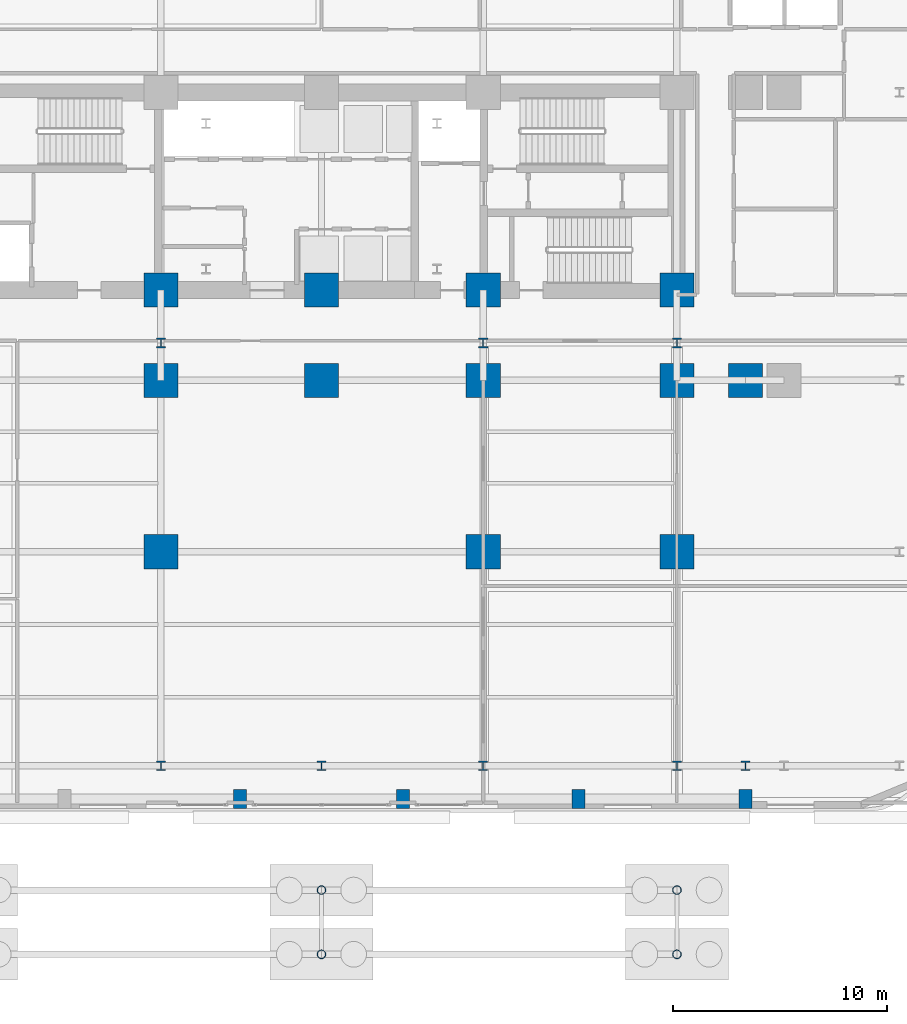
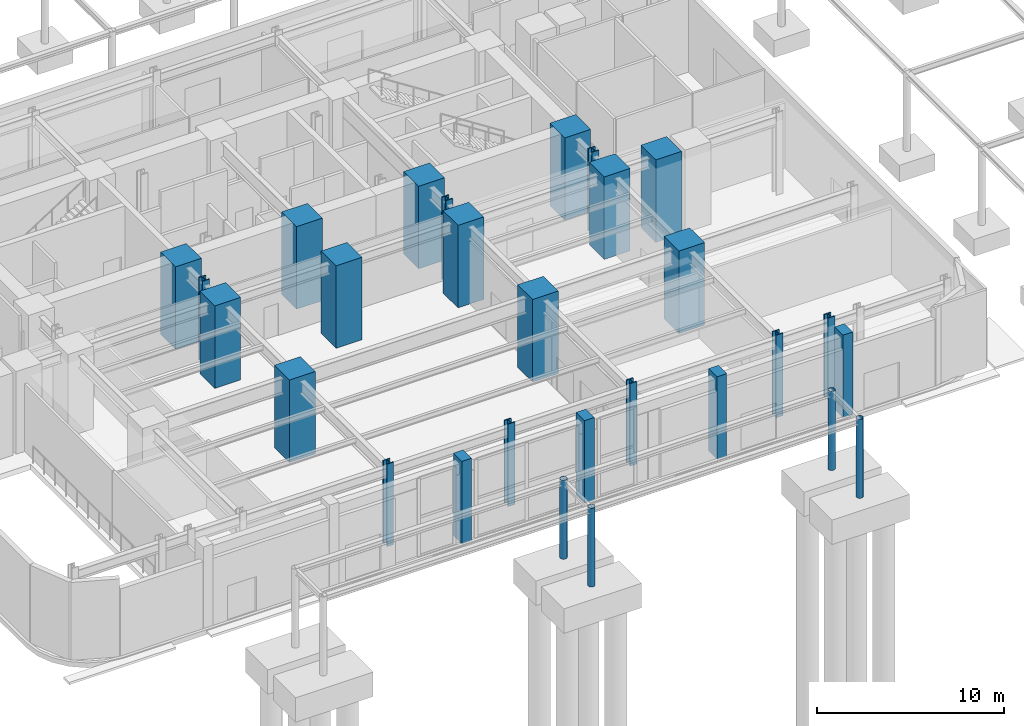
# One storey, part 3 of 21: 28 columns.
"""IFC4 building model written with IfcOpenShell, lengths in metres."""

from ifc_helpers import new_model, si_unit, direction, frame, origin, origin_2d, place, context, subcontext, project, spatial, rectangle, hollow_circle, i_section, extrude, material, material_profile, profile_set, type_object, element, save


model = new_model("IFC4")

# Units and contexts
model_context = context("Model", 3, precision=1e-05, world=origin(), true_north=direction((0.0, 1.0)))
body_context = subcontext(model_context, "Body", "Model", "MODEL_VIEW")
ifc_project = project(units=[si_unit("LENGTHUNIT", "METRE"), si_unit("AREAUNIT", "SQUARE_METRE"), si_unit("VOLUMEUNIT", "CUBIC_METRE"), si_unit("PLANEANGLEUNIT", "RADIAN"), si_unit("MASSUNIT", "GRAM", prefix="KILO")], contexts=[model_context])

# Site, building, storey
site_placement = place(None, origin())
site = spatial("IfcSite", under=ifc_project, at=site_placement, CompositionType="ELEMENT")
building_placement = place(site_placement, origin())
building = spatial("IfcBuilding", under=site, at=building_placement, Name="Zarnavel Station Tower", CompositionType="ELEMENT")
storey_placement = place(building_placement, origin())
storey = spatial("IfcBuildingStorey", under=building, at=storey_placement, Name="L01", CompositionType="ELEMENT", Elevation=0.0)

# Columns
ifc_material_1 = material(Name="Steel S355J2", Category="steel")
ifc_material_profile_1 = material_profile(ifc_material_1, hollow_circle(Radius=0.203125, WallThickness=0.01611328125, at=origin_2d()), Name="CHS406.4x16")
ifc_profile_set_1 = profile_set([ifc_material_profile_1], Name="Steel S355J2")
column_type_1 = type_object("IfcColumnType", Name="EC_CANOPY", PredefinedType="COLUMN", material=ifc_profile_set_1)
for number, where, z_axis, x_axis, name in (
    (1, (28.800048828125, -3.199951171875, 0.0), (0.0, 0.0, 1.0), (1.0, 0.0, 0.0), "L01 Station Portal Column 02"),
    (2, (45.39990234375, -3.199951171875, 0.0), (0.0, 0.0, 1.0), (1.0, 0.0, 0.0), "L01 Station Portal Column 03"),
    (3, (28.800048828125, -0.199951171875, 0.0), (0.0, 0.0, 1.0), (1.0, 0.0, 0.0), "L01 Station Portal Column 05"),
    (4, (45.39990234375, -0.199951171875, 0.0), (0.0, 0.0, 1.0), (1.0, 0.0, 0.0), "L01 Station Portal Column 06"),
):
    element("IfcColumn", number, at=place(storey_placement, frame(where, z_axis=z_axis, x_axis=x_axis)), inside=storey, type_object=column_type_1, Name=name, PredefinedType="COLUMN", context=body_context, shape_type="SweptSolid", body=[
        extrude(hollow_circle(Radius=0.203125, WallThickness=0.01611328125, at=origin_2d()), origin(), (0.0, 0.0, 1.0), 5.159912109375),
    ])
ifc_material_2 = material(Name="Steel S460M", Category="steel")
ifc_material_profile_2 = material_profile(ifc_material_2, i_section(OverallWidth=0.424072265625, OverallDepth=0.449951171875, WebThickness=0.041015625, FlangeThickness=0.06494140625, FilletRadius=0.014892578125, at=origin_2d()), Name="HD400x509")
ifc_profile_set_2 = profile_set([ifc_material_profile_2], Name="Steel S460M")
column_type_2 = type_object("IfcColumnType", Name="EC_HD509", PredefinedType="COLUMN", material=ifc_profile_set_2)
for number, where, z_axis, x_axis, name in (
    (5, (21.300048828125, 5.60009765625, 0.0), (0.0, 0.0, 1.0), (1.0, 0.0, 0.0), "L01 Perimeter Column 5-1"),
    (6, (28.800048828125, 5.60009765625, 0.0), (0.0, 0.0, 1.0), (1.0, 0.0, 0.0), "L01 Perimeter Column 6-1"),
    (7, (36.35009765625, 5.60009765625, 0.0), (0.0, 0.0, 1.0), (1.0, 0.0, 0.0), "L01 Perimeter Column 7-1"),
    (8, (45.39990234375, 5.60009765625, 0.0), (0.0, 0.0, 1.0), (1.0, 0.0, 0.0), "L01 Perimeter Column 8-1"),
    (9, (48.60009765625, 5.60009765625, 0.0), (0.0, 0.0, 1.0), (1.0, 0.0, 0.0), "L01 Perimeter Column 9-1"),
):
    element("IfcColumn", number, at=place(storey_placement, frame(where, z_axis=z_axis, x_axis=x_axis)), inside=storey, type_object=column_type_2, Name=name, PredefinedType="COLUMN", context=body_context, shape_type="SweptSolid", body=[
        extrude(i_section(OverallWidth=0.424072265625, OverallDepth=0.449951171875, WebThickness=0.041015625, FlangeThickness=0.06494140625, FilletRadius=0.014892578125, at=origin_2d()), origin(), (0.0, 0.0, 1.0), 5.39990234375),
    ])
ifc_material_3 = material(Name="Steel S460M", Category="steel")
ifc_material_profile_3 = material_profile(ifc_material_3, i_section(OverallWidth=0.427978515625, OverallDepth=0.465087890625, WebThickness=0.044921875, FlangeThickness=0.072998046875, FilletRadius=0.014892578125, at=origin_2d()), Name="HD400x592")
ifc_profile_set_3 = profile_set([ifc_material_profile_3], Name="Steel S460M")
column_type_3 = type_object("IfcColumnType", Name="IC_HD592", PredefinedType="COLUMN", material=ifc_profile_set_3)
for number, where, z_axis, x_axis, name in (
    (10, (21.300048828125, 25.35009765625, 0.0), (0.0, 0.0, 1.0), (1.0, 0.0, 0.0), "L01 Inner Spine Column 2"),
    (11, (36.35009765625, 25.35009765625, 0.0), (0.0, 0.0, 1.0), (1.0, 0.0, 0.0), "L01 Inner Spine Column 4"),
    (12, (45.39990234375, 25.35009765625, 0.0), (0.0, 0.0, 1.0), (1.0, 0.0, 0.0), "L01 Inner Spine Column 5"),
):
    element("IfcColumn", number, at=place(storey_placement, frame(where, z_axis=z_axis, x_axis=x_axis)), inside=storey, type_object=column_type_3, Name=name, PredefinedType="COLUMN", context=body_context, shape_type="SweptSolid", body=[
        extrude(i_section(OverallWidth=0.427978515625, OverallDepth=0.465087890625, WebThickness=0.044921875, FlangeThickness=0.072998046875, FilletRadius=0.014892578125, at=origin_2d()), origin(), (0.0, 0.0, 1.0), 5.39990234375),
    ])
ifc_material_4 = material(Name="Concrete C60/75", Category="concrete")
ifc_material_profile_4 = material_profile(ifc_material_4, rectangle(XDim=1.60009765625, YDim=1.60009765625, at=origin_2d()), Name="RC1600x1600")
ifc_profile_set_4 = profile_set([ifc_material_profile_4], Name="Concrete C60/75")
column_type_4 = type_object("IfcColumnType", Name="IC_RC1600", PredefinedType="COLUMN", material=ifc_profile_set_4)
for number, where, z_axis, x_axis, name in (
    (13, (21.300048828125, 27.820068359375, 0.0), (0.0, 0.0, 1.0), (1.0, 0.0, 0.0), "L01 Core Spine Column 2-1"),
    (14, (28.800048828125, 27.820068359375, 0.0), (0.0, 0.0, 1.0), (1.0, 0.0, 0.0), "L01 Core Spine Column 3-1"),
    (15, (36.35009765625, 27.820068359375, 0.0), (0.0, 0.0, 1.0), (1.0, 0.0, 0.0), "L01 Core Spine Column 4-1"),
    (16, (45.39990234375, 27.820068359375, 0.0), (0.0, 0.0, 1.0), (1.0, 0.0, 0.0), "L01 Core Spine Column 5-1"),
    (17, (21.300048828125, 15.60009765625, 0.0), (0.0, 0.0, 1.0), (1.0, 0.0, 0.0), "L01 Podium Column 5-2"),
    (18, (21.300048828125, 23.60009765625, 0.0), (0.0, 0.0, 1.0), (1.0, 0.0, 0.0), "L01 Podium Column 5-3"),
    (19, (28.800048828125, 23.60009765625, 0.0), (0.0, 0.0, 1.0), (1.0, 0.0, 0.0), "L01 Podium Column 6-3"),
    (20, (36.35009765625, 15.60009765625, 0.0), (0.0, 0.0, 1.0), (1.0, 0.0, 0.0), "L01 Podium Column 7-2"),
    (21, (36.35009765625, 23.60009765625, 0.0), (0.0, 0.0, 1.0), (1.0, 0.0, 0.0), "L01 Podium Column 7-3"),
    (22, (45.39990234375, 15.60009765625, 0.0), (0.0, 0.0, 1.0), (1.0, 0.0, 0.0), "L01 Podium Column 8-2"),
    (23, (45.39990234375, 23.60009765625, 0.0), (0.0, 0.0, 1.0), (1.0, 0.0, 0.0), "L01 Podium Column 8-3"),
    (24, (48.60009765625, 23.60009765625, 0.0), (0.0, 0.0, 1.0), (1.0, 0.0, 0.0), "L01 Podium Column 9-3"),
):
    element("IfcColumn", number, at=place(storey_placement, frame(where, z_axis=z_axis, x_axis=x_axis)), inside=storey, type_object=column_type_4, Name=name, PredefinedType="COLUMN", context=body_context, shape_type="SweptSolid", body=[
        extrude(rectangle(XDim=1.60009765625, YDim=1.60009765625, at=origin_2d()), origin(), (0.0, 0.0, 1.0), 5.39990234375),
    ])
ifc_material_5 = material(Name="Precast concrete C45/55", Category="concrete")
ifc_material_profile_5 = material_profile(ifc_material_5, rectangle(XDim=0.60009765625, YDim=0.89990234375, at=origin_2d()), Name="RC600x900")
ifc_profile_set_5 = profile_set([ifc_material_profile_5], Name="Precast concrete C45/55")
column_type_5 = type_object("IfcColumnType", Name="PL_BASALT", PredefinedType="PILASTER", material=ifc_profile_set_5)
for number, where, z_axis, x_axis, name in (
    (25, (25.0, 4.050048828125, 0.0), (0.0, 0.0, 1.0), (1.0, 0.0, 0.0), "L01 Basalt Facade Pilaster S3"),
    (26, (32.60009765625, 4.050048828125, 0.0), (0.0, 0.0, 1.0), (1.0, 0.0, 0.0), "L01 Basalt Facade Pilaster S4"),
    (27, (40.800048828125, 4.050048828125, 0.0), (0.0, 0.0, 1.0), (1.0, 0.0, 0.0), "L01 Basalt Facade Pilaster S5"),
    (28, (48.60009765625, 4.050048828125, 0.0), (0.0, 0.0, 1.0), (1.0, 0.0, 0.0), "L01 Basalt Facade Pilaster S6"),
):
    element("IfcColumn", number, at=place(storey_placement, frame(where, z_axis=z_axis, x_axis=x_axis)), inside=storey, type_object=column_type_5, Name=name, PredefinedType="PILASTER", context=body_context, shape_type="SweptSolid", body=[
        extrude(rectangle(XDim=0.60009765625, YDim=0.89990234375, at=origin_2d()), origin(), (0.0, 0.0, 1.0), 5.39990234375),
    ])

save(model, "model.ifc")
